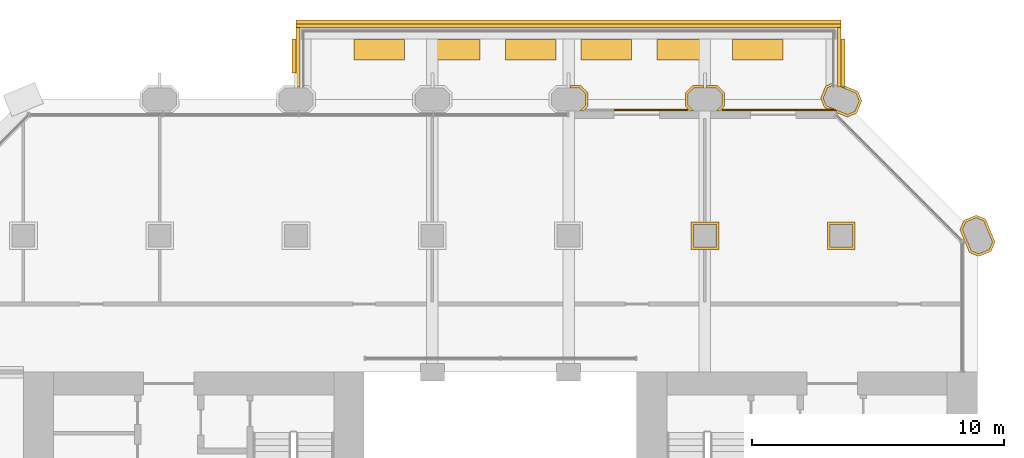
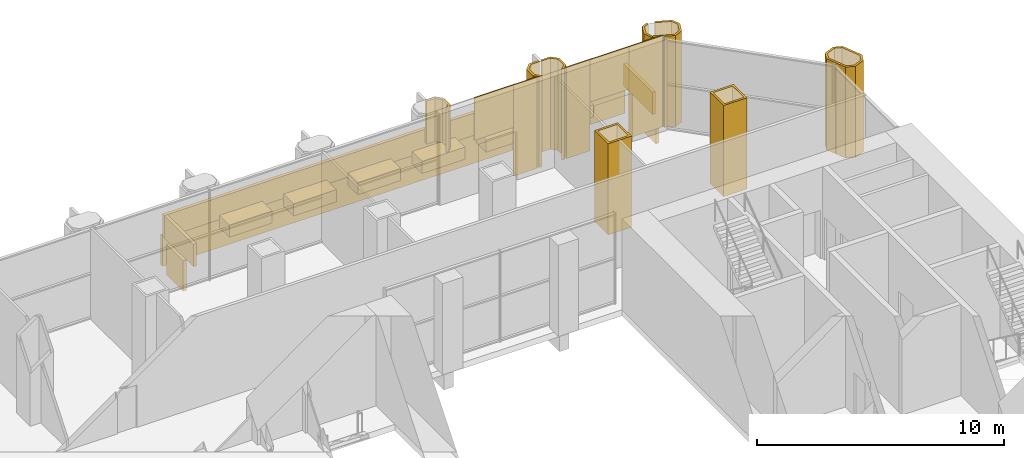
# One storey, part 15 of 15: 24 coverings.
"""IFC4 building model written with IfcOpenShell, lengths in metres."""

from ifc_helpers import new_model, si_unit, direction, frame, frame_2d, origin, origin_2d, place, context, subcontext, project, spatial, polyline, rectangle, outline, extrude, material, layer, layer_set, type_object, element, save


model = new_model("IFC4")

# Units and contexts
model_context = context("Model", 3, precision=1e-05, world=origin(), true_north=direction((0.0, 1.0)))
body_context = subcontext(model_context, "Body", "Model", "MODEL_VIEW")
ifc_project = project(units=[si_unit("LENGTHUNIT", "METRE"), si_unit("AREAUNIT", "SQUARE_METRE"), si_unit("VOLUMEUNIT", "CUBIC_METRE"), si_unit("PLANEANGLEUNIT", "RADIAN"), si_unit("MASSUNIT", "GRAM", prefix="KILO")], contexts=[model_context])

# Site, building, storey
site_placement = place(None, origin())
site = spatial("IfcSite", under=ifc_project, at=site_placement, CompositionType="ELEMENT")
building_placement = place(site_placement, origin())
building = spatial("IfcBuilding", under=site, at=building_placement, Name="Tabaq Tower and Sports Hall", CompositionType="ELEMENT")
storey_placement = place(building_placement, frame((0.0, 0.0, 148.0)))
storey = spatial("IfcBuildingStorey", under=building, at=storey_placement, Name="L34", CompositionType="ELEMENT", Elevation=148.0)

# Coverings
ifc_material_1 = material(Name="Precast concrete C60/75", Category="concrete")
ifc_layer_1 = layer(ifc_material_1, 0.10009765625)
ifc_layer_set_1 = layer_set([ifc_layer_1], Name="Column cladding 100")
covering_type_1 = type_object("IfcCoveringType", Name="Column cladding 100", PredefinedType="CLADDING", material=ifc_layer_set_1)
covering_1_placement = place(storey_placement, frame((0.0, 0.0, 2.280029296875)))
element("IfcCovering", 1, at=covering_1_placement, inside=storey, type_object=covering_type_1, Name="Column cladding L34 PC-6I-S1 2 2", PredefinedType="CLADDING", context=body_context, shape_type="SweptSolid", body=[
    extrude(outline(polyline([(27.4912109375, 43.749755859375), (27.774658203125, 43.46630859375), (27.774658203125, 42.93359375), (27.59130859375, 42.750244140625), (27.45068359375, 42.750244140625), (27.67529296875, 42.974853515625), (27.67529296875, 43.425048828125), (27.4501953125, 43.650390625), (27.060302734375, 43.650390625), (27.060302734375, 43.749755859375), (27.4912109375, 43.749755859375)])), origin(), (0.0, 0.0, 1.0), 2.119873046875),
])
covering_2_placement = place(storey_placement, origin())
element("IfcCovering", 2, at=covering_2_placement, inside=storey, type_object=covering_type_1, Name="Column cladding L34 CC-7H-S1", PredefinedType="CLADDING", context=body_context, shape_type="SweptSolid", body=[
    extrude(outline(polyline([(31.850341796875, 38.349609375), (32.94970703125, 38.349609375), (32.94970703125, 37.250244140625), (31.850341796875, 37.250244140625), (31.850341796875, 38.349609375)]), holes=[polyline([(32.850341796875, 37.349609375), (32.850341796875, 38.250244140625), (31.94970703125, 38.250244140625), (31.94970703125, 37.349609375), (32.850341796875, 37.349609375)])]), origin(), (0.0, 0.0, 1.0), 4.5),
])
covering_3_placement = place(storey_placement, origin())
element("IfcCovering", 3, at=covering_3_placement, inside=storey, type_object=covering_type_1, Name="Column cladding L34 PC-7I-S1", PredefinedType="CLADDING", context=body_context, shape_type="SweptSolid", body=[
    extrude(outline(polyline([(31.625244140625, 43.46630859375), (31.90869140625, 43.749755859375), (32.339599609375, 43.749755859375), (32.339599609375, 43.650390625), (31.949951171875, 43.650390625), (31.724609375, 43.425048828125), (31.724609375, 42.974853515625), (31.94921875, 42.750244140625), (31.80859375, 42.750244140625), (31.625244140625, 42.93359375), (31.625244140625, 43.46630859375)])), origin(), (0.0, 0.0, 1.0), 4.5),
])
covering_4_placement = place(storey_placement, origin())
element("IfcCovering", 4, at=covering_4_placement, inside=storey, type_object=covering_type_1, Name="Column cladding L34 PC-7I-S1 2", PredefinedType="CLADDING", context=body_context, shape_type="SweptSolid", body=[
    extrude(outline(polyline([(32.891357421875, 43.749755859375), (33.1748046875, 43.46630859375), (33.1748046875, 42.93359375), (32.9912109375, 42.750244140625), (32.850830078125, 42.750244140625), (33.0751953125, 42.974853515625), (33.0751953125, 43.425048828125), (32.85009765625, 43.650390625), (32.460205078125, 43.650390625), (32.460205078125, 43.749755859375), (32.891357421875, 43.749755859375)])), origin(), (0.0, 0.0, 1.0), 4.5),
])
covering_5_placement = place(storey_placement, origin())
element("IfcCovering", 5, at=covering_5_placement, inside=storey, type_object=covering_type_1, Name="Column cladding L34 CC-8H-S1", PredefinedType="CLADDING", context=body_context, shape_type="SweptSolid", body=[
    extrude(outline(polyline([(37.250244140625, 38.349609375), (38.349609375, 38.349609375), (38.349609375, 37.250244140625), (37.250244140625, 37.250244140625), (37.250244140625, 38.349609375)]), holes=[polyline([(38.250244140625, 37.349609375), (38.250244140625, 38.250244140625), (37.349609375, 38.250244140625), (37.349609375, 37.349609375), (38.250244140625, 37.349609375)])]), origin(), (0.0, 0.0, 1.0), 4.5),
])
covering_6_placement = place(storey_placement, origin())
element("IfcCovering", 6, at=covering_6_placement, inside=storey, type_object=covering_type_1, Name="Column cladding L34 PC-8I-S1", PredefinedType="CLADDING", context=body_context, shape_type="SweptSolid", body=[
    extrude(outline(polyline([(38.413818359375, 42.657470703125), (38.04345703125, 42.504150390625), (37.614013671875, 42.68212890625), (37.614013671875, 42.750244140625), (37.55712890625, 42.750244140625), (37.55712890625, 42.810302734375), (37.304443359375, 42.810302734375), (37.1357421875, 42.880126953125), (36.982421875, 43.25048828125), (37.186279296875, 43.742431640625), (37.48974609375, 43.8681640625), (37.48974609375, 43.7607421875), (37.26220703125, 43.66650390625), (37.08984375, 43.25048828125), (37.2119140625, 42.956298828125), (38.04345703125, 42.61181640625), (38.337646484375, 42.733642578125), (38.510009765625, 43.149658203125), (38.38818359375, 43.44384765625), (37.770263671875, 43.69970703125), (37.80029296875, 43.69970703125), (37.80029296875, 43.794921875), (38.46435546875, 43.519775390625), (38.61767578125, 43.149658203125), (38.413818359375, 42.657470703125)])), origin(), (0.0, 0.0, 1.0), 4.5),
])
covering_7_placement = place(storey_placement, origin())
element("IfcCovering", 7, at=covering_7_placement, inside=storey, type_object=covering_type_1, Name="Column cladding L34 PC-9H-S1", PredefinedType="CLADDING", context=body_context, shape_type="SweptSolid", body=[
    extrude(outline(polyline([(43.25048828125, 36.982421875), (42.880126953125, 37.1357421875), (42.690185546875, 37.593994140625), (42.690185546875, 37.614013671875), (42.68212890625, 37.614013671875), (42.504150390625, 38.04345703125), (42.657470703125, 38.413818359375), (43.149658203125, 38.61767578125), (43.519775390625, 38.46435546875), (43.895751953125, 37.556396484375), (43.742431640625, 37.186279296875), (43.25048828125, 36.982421875)]), holes=[polyline([(43.149658203125, 38.510009765625), (42.733642578125, 38.337646484375), (42.61181640625, 38.04345703125), (42.956298828125, 37.2119140625), (43.25048828125, 37.08984375), (43.66650390625, 37.26220703125), (43.788330078125, 37.556396484375), (43.44384765625, 38.38818359375), (43.149658203125, 38.510009765625)])]), origin(), (0.0, 0.0, 1.0), 4.5),
])
ifc_material_2 = material(Name="Planting soil and drainage layer")
covering_type_2 = type_object("IfcCoveringType", Name="Planter 2000x800x600", PredefinedType="USERDEFINED", material=ifc_material_2)
for number, where, z_axis, x_axis, name in (
    (8, (34.5, 45.169921875, 0.0), (0.0, 0.0, 1.0), (-1.0, 0.0, 0.0), "Planter L34"),
    (9, (31.5, 45.169921875, 0.0), (0.0, 0.0, 1.0), (-1.0, 0.0, 0.0), "Planter L34"),
    (10, (28.5, 45.169921875, 0.0), (0.0, 0.0, 1.0), (-1.0, 0.0, 0.0), "Planter L34"),
    (11, (25.5, 45.169921875, 0.0), (0.0, 0.0, 1.0), (-1.0, 0.0, 0.0), "Planter L34"),
    (12, (22.5, 45.169921875, 0.0), (0.0, 0.0, 1.0), (-1.0, 0.0, 0.0), "Planter L34"),
    (13, (19.5, 45.169921875, 0.0), (0.0, 0.0, 1.0), (-1.0, 0.0, 0.0), "Planter L34"),
):
    element("IfcCovering", number, at=place(storey_placement, frame(where, z_axis=z_axis, x_axis=x_axis)), inside=storey, type_object=covering_type_2, Name=name, ObjectType="PLANTER", PredefinedType="USERDEFINED", context=body_context, shape_type="SweptSolid", body=[
        extrude(rectangle(XDim=2.0, YDim=0.800048828125, at=origin_2d()), origin(), (0.0, 0.0, 1.0), 0.60009765625),
    ])
ifc_material_3 = material(Name="Precast concrete C60/75", Category="concrete")
ifc_layer_2 = layer(ifc_material_3, 0.14990234375)
ifc_layer_set_2 = layer_set([ifc_layer_2], Name="Tray fascia 1200")
covering_type_3 = type_object("IfcCoveringType", Name="Tray fascia 1200", PredefinedType="CLADDING", material=ifc_layer_set_2)
covering_8_placement = place(storey_placement, frame((37.875, 43.69677734375, -1.5), z_axis=(0.0, 0.0, 1.0), x_axis=(0.0, 1.0, 0.0)))
element("IfcCovering", 14, at=covering_8_placement, inside=storey, type_object=covering_type_3, Name="Tray fascia L34 EBT", PredefinedType="CLADDING", context=body_context, shape_type="SweptSolid", body=[
    extrude(rectangle(XDim=1.9033203125, YDim=0.14990234375, at=frame_2d((0.95166015625, 0.0))), origin(), (0.0, 0.0, 1.0), 1.5),
])
covering_9_placement = place(storey_placement, frame((16.125, 44.260009765625, -1.5), z_axis=(0.0, 0.0, 1.0), x_axis=(0.0, 1.0, 0.0)))
element("IfcCovering", 15, at=covering_9_placement, inside=storey, type_object=covering_type_3, Name="Tray fascia L34 EBT", PredefinedType="CLADDING", context=body_context, shape_type="SweptSolid", body=[
    extrude(rectangle(XDim=1.340087890625, YDim=0.14990234375, at=frame_2d((0.669921875, 0.0))), origin(), (0.0, 0.0, 1.0), 1.5),
])
covering_10_placement = place(storey_placement, frame((37.800048828125, 46.27490234375, -1.5), z_axis=(0.0, 0.0, 1.0), x_axis=(-1.0, 0.0, 0.0)))
element("IfcCovering", 16, at=covering_10_placement, inside=storey, type_object=covering_type_3, Name="Tray fascia L34 EBT", PredefinedType="CLADDING", context=body_context, shape_type="SweptSolid", body=[
    extrude(rectangle(XDim=21.60009765625, YDim=0.14990234375, at=frame_2d((10.800048828125, 0.0))), origin(), (0.0, 0.0, 1.0), 1.5),
])
ifc_material_4 = material(Name="Precast concrete C60/75", Category="concrete")
ifc_layer_3 = layer(ifc_material_4, 0.14990234375)
ifc_layer_set_3 = layer_set([ifc_layer_3], Name="Tray upstand cladding 1100")
covering_type_4 = type_object("IfcCoveringType", Name="Tray upstand cladding 1100", PredefinedType="CLADDING", material=ifc_layer_set_3)
covering_11_placement = place(storey_placement, frame((37.800048828125, 46.125, 0.0), z_axis=(0.0, 0.0, 1.0), x_axis=(-1.0, 0.0, 0.0)))
element("IfcCovering", 17, at=covering_11_placement, inside=storey, type_object=covering_type_4, Name="Tray upstand cladding L34", PredefinedType="CLADDING", context=body_context, shape_type="SweptSolid", body=[
    extrude(rectangle(XDim=21.60009765625, YDim=0.14990234375, at=frame_2d((10.800048828125, 0.0))), origin(), (0.0, 0.0, 1.0), 1.10009765625),
])
for number, where, z_axis, x_axis, name in (
    (18, (37.72509765625, 43.699951171875, 0.0), (0.0, 0.0, 1.0), (0.0, 1.0, 0.0), "Tray upstand cladding L34"),
    (19, (16.27490234375, 43.699951171875, 0.0), (0.0, 0.0, 1.0), (0.0, 1.0, 0.0), "Tray upstand cladding L34"),
):
    element("IfcCovering", number, at=place(storey_placement, frame(where, z_axis=z_axis, x_axis=x_axis)), inside=storey, type_object=covering_type_4, Name=name, PredefinedType="CLADDING", context=body_context, shape_type="SweptSolid", body=[
        extrude(rectangle(XDim=2.35009765625, YDim=0.14990234375, at=frame_2d((1.175048828125, 0.0))), origin(), (0.0, 0.0, 1.0), 1.10009765625),
    ])
ifc_material_5 = material(Name="Precast concrete C60/75", Category="concrete")
ifc_layer_4 = layer(ifc_material_5, 0.06005859375)
ifc_layer_set_4 = layer_set([ifc_layer_4], Name="White precast cladding panel 60 C60/75")
covering_type_5 = type_object("IfcCoveringType", Name="White precast cladding panel 60 C60/75", PredefinedType="CLADDING", material=ifc_layer_set_4)
covering_12_placement = place(storey_placement, frame((37.556884765625, 42.780029296875, 0.0), z_axis=(0.0, 0.0, 1.0), x_axis=(-1.0, 0.0, 0.0)))
element("IfcCovering", 20, at=covering_12_placement, inside=storey, type_object=covering_type_5, Name="White precast cladding panel L34 infill03-0-0", PredefinedType="CLADDING", context=body_context, shape_type="SweptSolid", body=[
    extrude(rectangle(XDim=1.546875, YDim=0.06005859375, at=frame_2d((0.7734375, 0.0))), origin(), (0.0, 0.0, 1.0), 4.5),
])
covering_13_placement = place(storey_placement, frame((36.010009765625, 42.780029296875, 2.409912109375), z_axis=(0.0, 0.0, 1.0), x_axis=(-1.0, 0.0, 0.0)))
element("IfcCovering", 21, at=covering_13_placement, inside=storey, type_object=covering_type_5, Name="White precast cladding panel L34 infill03-0-0 2", PredefinedType="CLADDING", context=body_context, shape_type="SweptSolid", body=[
    extrude(rectangle(XDim=1.820068359375, YDim=0.06005859375, at=frame_2d((0.91015625, 0.0))), origin(), (0.0, 0.0, 1.0), 2.090087890625),
])
for number, where, z_axis, x_axis, name in (
    (22, (34.18994140625, 42.780029296875, 0.0), (0.0, 0.0, 1.0), (-1.0, 0.0, 0.0), "White precast cladding panel L34 infill03-0-0 3"),
    (23, (31.715087890625, 42.780029296875, 0.0), (0.0, 0.0, 1.0), (-1.0, 0.0, 0.0), "White precast cladding panel L34 infill03-0-0 4"),
):
    element("IfcCovering", number, at=place(storey_placement, frame(where, z_axis=z_axis, x_axis=x_axis)), inside=storey, type_object=covering_type_5, Name=name, PredefinedType="CLADDING", context=body_context, shape_type="SweptSolid", body=[
        extrude(rectangle(XDim=1.10498046875, YDim=0.06005859375, at=frame_2d((0.552490234375, 0.0))), origin(), (0.0, 0.0, 1.0), 4.5),
    ])
covering_14_placement = place(storey_placement, frame((30.610107421875, 42.780029296875, 2.409912109375), z_axis=(0.0, 0.0, 1.0), x_axis=(-1.0, 0.0, 0.0)))
element("IfcCovering", 24, at=covering_14_placement, inside=storey, type_object=covering_type_5, Name="White precast cladding panel L34 infill03-0-0 5", PredefinedType="CLADDING", context=body_context, shape_type="SweptSolid", body=[
    extrude(rectangle(XDim=1.820068359375, YDim=0.06005859375, at=frame_2d((0.91015625, 0.0))), origin(), (0.0, 0.0, 1.0), 2.090087890625),
])

save(model, "model.ifc")
